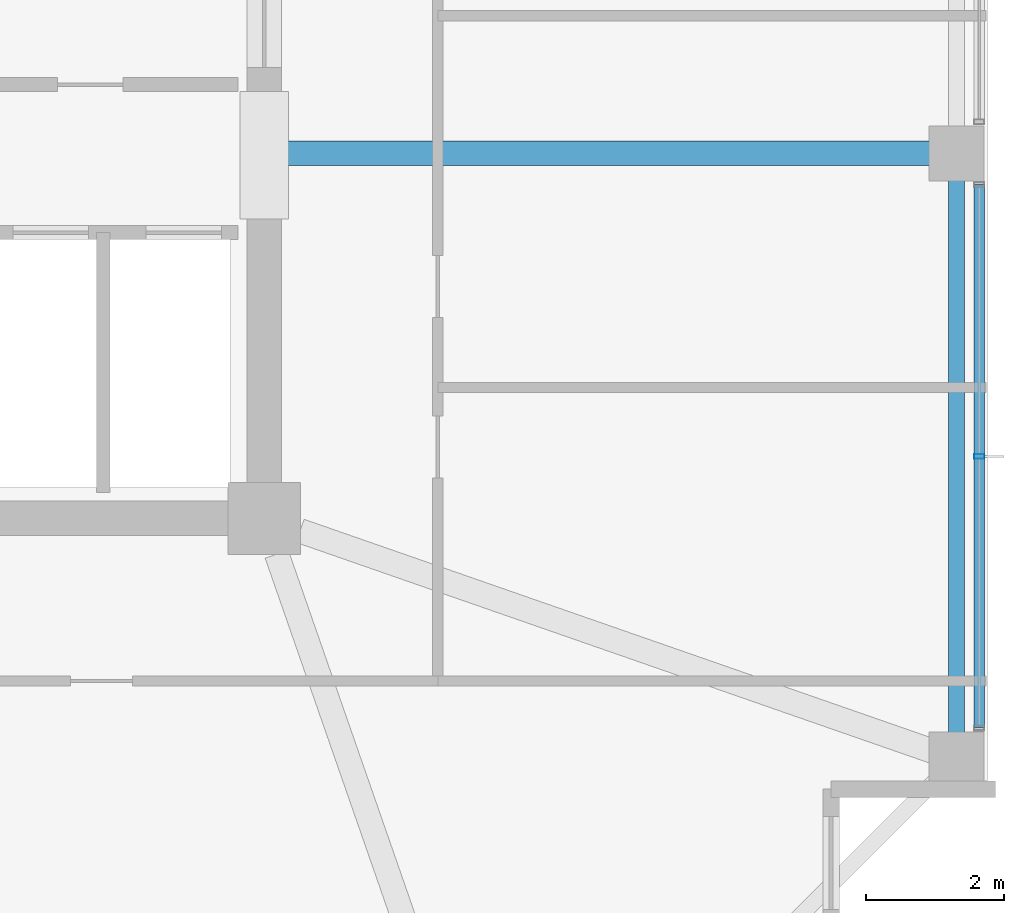
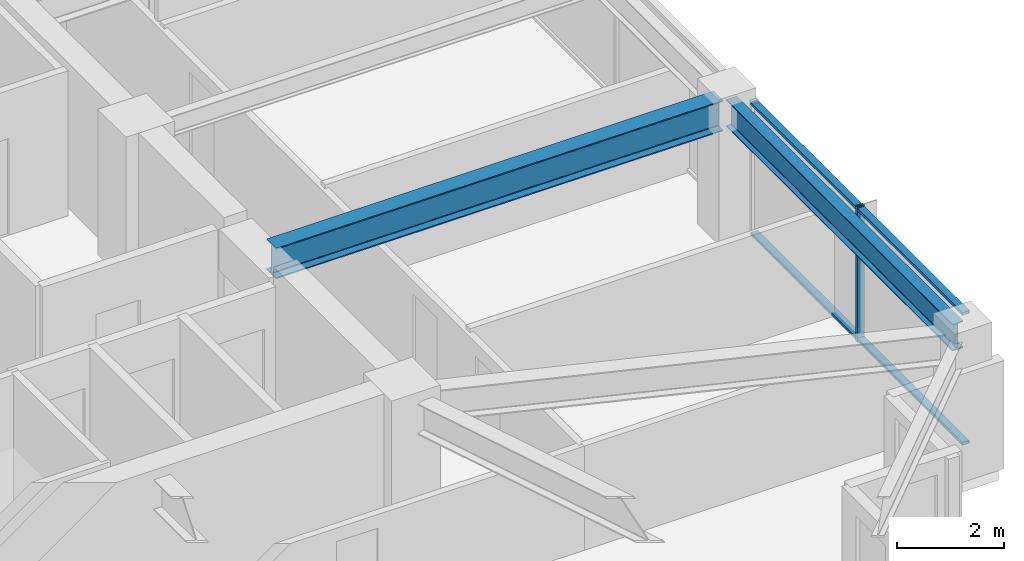
# One storey, part 12 of 36: 3 members, 2 beams, 1 element without a shape of its own.
"""IFC4 building model written with IfcOpenShell, lengths in metres."""

from ifc_helpers import new_model, si_unit, direction, frame, origin, origin_2d, place, context, subcontext, project, spatial, hollow_rectangle, i_section, extrude, material, material_profile, profile_set, type_object, element, aggregate, save


model = new_model("IFC4")

# Units and contexts
model_context = context("Model", 3, precision=1e-05, world=origin(), true_north=direction((0.0, 1.0)))
body_context = subcontext(model_context, "Body", "Model", "MODEL_VIEW")
ifc_project = project(units=[si_unit("LENGTHUNIT", "METRE"), si_unit("AREAUNIT", "SQUARE_METRE"), si_unit("VOLUMEUNIT", "CUBIC_METRE"), si_unit("PLANEANGLEUNIT", "RADIAN"), si_unit("MASSUNIT", "GRAM", prefix="KILO")], contexts=[model_context])

# Site, building, storey
site_placement = place(None, origin())
site = spatial("IfcSite", under=ifc_project, at=site_placement, CompositionType="ELEMENT")
building_placement = place(site_placement, origin())
building = spatial("IfcBuilding", under=site, at=building_placement, Name="Kolvaren Belvedere", CompositionType="ELEMENT")
storey_placement = place(building_placement, frame((0.0, 0.0, 196.5)))
storey = spatial("IfcBuildingStorey", under=building, at=storey_placement, Name="L57", CompositionType="ELEMENT", Elevation=196.5)

# Beams
ifc_material_1 = material(Name="Structural steel ASTM A992 Grade 50", Category="steel")
ifc_material_profile_1 = material_profile(ifc_material_1, i_section(OverallWidth=0.35498046875, OverallDepth=0.696044921875, WebThickness=0.015380859375, FlangeThickness=0.02490234375, FilletRadius=0.02197265625, at=origin_2d()), Name="W27X146")
ifc_profile_set_1 = profile_set([ifc_material_profile_1], Name="Structural steel ASTM A992 Grade 50")
beam_type_1 = type_object("IfcBeamType", Name="BM-GIRD-W27X146", PredefinedType="BEAM", material=ifc_profile_set_1)
beam_1_placement = place(storey_placement, frame((10.14990234375, -4.60009765625, 2.73193359375), z_axis=(1.0, 0.0, 0.0), x_axis=(0.0, 1.0, 0.0)))
element("IfcBeam", 1, at=beam_1_placement, inside=storey, type_object=beam_type_1, Name="L57 East Radial Girder M", PredefinedType="BEAM", context=body_context, shape_type="SweptSolid", body=[
    extrude(i_section(OverallWidth=0.35498046875, OverallDepth=0.696044921875, WebThickness=0.015380859375, FlangeThickness=0.02490234375, FilletRadius=0.02197265625, at=origin_2d()), origin(), (0.0, 0.0, 1.0), 9.6201171875),
])
ifc_material_2 = material(Name="Structural steel ASTM A992 Grade 50", Category="steel")
ifc_material_profile_2 = material_profile(ifc_material_2, i_section(OverallWidth=0.22900390625, OverallDepth=0.612060546875, WebThickness=0.011962890625, FlangeThickness=0.01953125, FilletRadius=0.01806640625, at=origin_2d()), Name="W24X84")
ifc_profile_set_2 = profile_set([ifc_material_profile_2], Name="Structural steel ASTM A992 Grade 50")
beam_type_2 = type_object("IfcBeamType", Name="BM-SPAN-W24X84", PredefinedType="SPANDREL", material=ifc_profile_set_2)
beam_2_placement = place(storey_placement, frame((19.949951171875, -13.219970703125, 2.77392578125), z_axis=(0.0, 1.0, 0.0), x_axis=(-1.0, 0.0, 0.0)))
element("IfcBeam", 2, at=beam_2_placement, inside=storey, type_object=beam_type_2, Name="L57 Perimeter Spandrel E1-E2", PredefinedType="SPANDREL", context=body_context, shape_type="SweptSolid", body=[
    extrude(i_section(OverallWidth=0.22900390625, OverallDepth=0.612060546875, WebThickness=0.011962890625, FlangeThickness=0.01953125, FilletRadius=0.01806640625, at=origin_2d()), origin(), (0.0, 0.0, 1.0), 8.43994140625),
])

# Curtain wall, members
ifc_material_3 = material(Name="Anodised pale-metal aluminium AA 6063-T6", Category="aluminium")
curtain_wall_type = type_object("IfcCurtainWallType", Name="CW-Z5-HIGH", PredefinedType="NOTDEFINED", material=ifc_material_3)
curtain_wall_placement = place(storey_placement, origin())
curtain_wall = element("IfcCurtainWall", 3, at=curtain_wall_placement, inside=storey, type_object=curtain_wall_type, Name="L57 Unitised Curtain Wall FCW-L57-E-B3", PredefinedType="NOTDEFINED")
ifc_material_4 = material(Name="Anodised pale-metal aluminium AA 6063-T6", Category="aluminium")
ifc_material_profile_3 = material_profile(ifc_material_4, hollow_rectangle(XDim=0.070068359375, YDim=0.14990234375, WallThickness=0.004150390625, at=origin_2d()), Name="ALU-MUL-150X70")
ifc_profile_set_3 = profile_set([ifc_material_profile_3], Name="Anodised pale-metal aluminium AA 6063-T6")
member_type_1 = type_object("IfcMemberType", Name="CW-MUL-150", PredefinedType="MULLION", material=ifc_profile_set_3)
member_1_placement = place(storey_placement, frame((20.280029296875, -9.0, 0.0), z_axis=(0.0, 0.0, 1.0), x_axis=(0.0, 1.0, 0.0)))
member_1 = element("IfcMember", 4, at=member_1_placement, type_object=member_type_1, Name="FCW-L57-E-B3 Unitised Mullion 2", PredefinedType="MULLION", context=body_context, shape_type="SweptSolid", body=[
    extrude(hollow_rectangle(XDim=0.070068359375, YDim=0.14990234375, WallThickness=0.004150390625, at=origin_2d()), origin(), (0.0, 0.0, 1.0), 3.080078125),
])
ifc_material_5 = material(Name="Anodised pale-metal aluminium AA 6063-T6", Category="aluminium")
ifc_material_profile_4 = material_profile(ifc_material_5, hollow_rectangle(XDim=0.06494140625, YDim=0.14990234375, WallThickness=0.00390625, at=origin_2d()), Name="ALU-TRN-150X65")
ifc_profile_set_4 = profile_set([ifc_material_profile_4], Name="Anodised pale-metal aluminium AA 6063-T6")
member_type_2 = type_object("IfcMemberType", Name="CW-TRN-150", PredefinedType="USERDEFINED", material=ifc_profile_set_4)
member_2_placement = place(storey_placement, frame((20.280029296875, -5.054931640625, 0.06005859375), z_axis=(0.0, -1.0, 0.0), x_axis=(0.0, 0.0, 1.0)))
member_2 = element("IfcMember", 5, at=member_2_placement, type_object=member_type_2, Name="FCW-L57-E-B3 Sill Transom", ObjectType="TRANSOM", PredefinedType="USERDEFINED", context=body_context, shape_type="SweptSolid", body=[
    extrude(hollow_rectangle(XDim=0.06494140625, YDim=0.14990234375, WallThickness=0.00390625, at=origin_2d()), origin(), (0.0, 0.0, 1.0), 7.89013671875),
])
member_3_placement = place(storey_placement, frame((20.280029296875, -5.054931640625, 3.02001953125), z_axis=(0.0, -1.0, 0.0), x_axis=(0.0, 0.0, 1.0)))
member_3 = element("IfcMember", 6, at=member_3_placement, type_object=member_type_2, Name="FCW-L57-E-B3 Head Transom", ObjectType="TRANSOM", PredefinedType="USERDEFINED", context=body_context, shape_type="SweptSolid", body=[
    extrude(hollow_rectangle(XDim=0.06494140625, YDim=0.14990234375, WallThickness=0.00390625, at=origin_2d()), origin(), (0.0, 0.0, 1.0), 7.89013671875),
])
aggregate(curtain_wall, [member_1, member_2, member_3])

save(model, "model.ifc")
